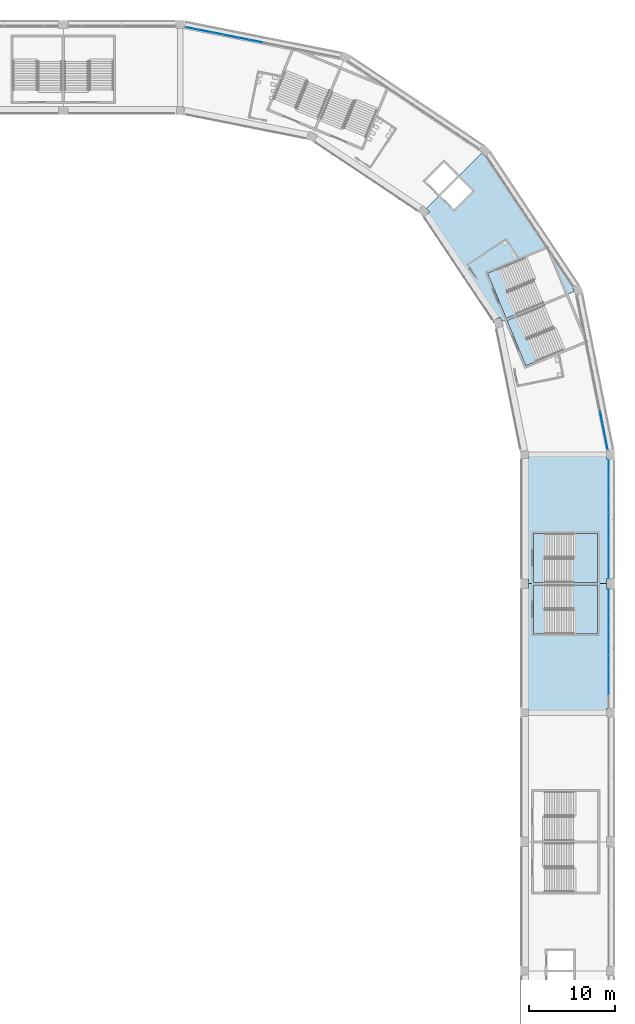
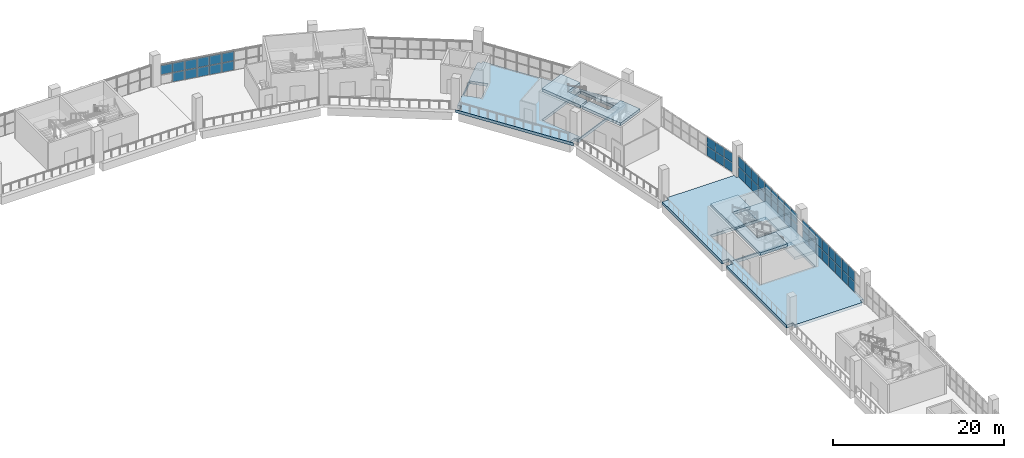
# One storey, part 57 of 177: 51 plates, 9 slabs, 8 elements without a shape of their own.
"""IFC4 building model written with IfcOpenShell, lengths in metres."""

from ifc_helpers import new_model, si_unit, direction, frame, origin, origin_2d, place, context, subcontext, project, spatial, polyline, rectangle, outline, extrude, material, layer, layer_set, type_object, element, aggregate, save


model = new_model("IFC4")

# Units and contexts
model_context = context("Model", 3, precision=1e-05, world=origin(), true_north=direction((0.0, 1.0)))
body_context = subcontext(model_context, "Body", "Model", "MODEL_VIEW")
ifc_project = project(units=[si_unit("LENGTHUNIT", "METRE"), si_unit("AREAUNIT", "SQUARE_METRE"), si_unit("VOLUMEUNIT", "CUBIC_METRE"), si_unit("PLANEANGLEUNIT", "RADIAN"), si_unit("MASSUNIT", "GRAM", prefix="KILO")], contexts=[model_context])

# Site, building, storey
site_placement = place(None, origin())
site = spatial("IfcSite", under=ifc_project, at=site_placement, CompositionType="ELEMENT")
building_placement = place(site_placement, origin())
building = spatial("IfcBuilding", under=site, at=building_placement, Name="Ogive Plaza Stadium", CompositionType="ELEMENT")
storey_placement = place(building_placement, frame((0.0, 0.0, 18.0)))
storey = spatial("IfcBuildingStorey", under=building, at=storey_placement, Name="L04", CompositionType="ELEMENT", Elevation=18.0)

# Curtain wall, plates
ifc_material_1 = material(Name="Bronze-anodised aluminium with laminated glass", Category="aluminium")
curtain_wall_type = type_object("IfcCurtainWallType", Name="Lancet curtain wall", PredefinedType="NOTDEFINED", material=ifc_material_1)
curtain_wall_1_placement = place(storey_placement, origin())
curtain_wall_1 = element("IfcCurtainWall", 1, at=curtain_wall_1_placement, inside=storey, type_object=curtain_wall_type, Name="CURTAIN WALL B01 L04", PredefinedType="NOTDEFINED")
ifc_material_2 = material(Name="Laminated glass", Category="glass")
ifc_layer_1 = layer(ifc_material_2, 0.028076171875)
ifc_layer_set_1 = layer_set([ifc_layer_1], Name="Laminated glass panel 28")
plate_type = type_object("IfcPlateType", Name="Laminated glass panel 28", PredefinedType="CURTAIN_PANEL", material=ifc_layer_set_1)
plate_1_placement = place(storey_placement, frame((83.800048828125, 51.120849609375, 0.0498046875), z_axis=(0.0, 0.0, 1.0), x_axis=(0.0, -1.0, 0.0)))
plate_1 = element("IfcPlate", 2, at=plate_1_placement, type_object=plate_type, Name="CW-B01-L04 panel 1.1", PredefinedType="CURTAIN_PANEL", context=body_context, shape_type="SweptSolid", body=[
    extrude(rectangle(XDim=1.458251953125, YDim=0.028076171875, at=origin_2d()), origin(), (0.0, 0.0, 1.0), 1.469970703125),
])
plate_2_placement = place(storey_placement, frame((83.800048828125, 51.120849609375, 1.56982421875), z_axis=(0.0, 0.0, 1.0), x_axis=(0.0, -1.0, 0.0)))
plate_2 = element("IfcPlate", 3, at=plate_2_placement, type_object=plate_type, Name="CW-B01-L04 panel 1.2", PredefinedType="CURTAIN_PANEL", context=body_context, shape_type="SweptSolid", body=[
    extrude(rectangle(XDim=1.458251953125, YDim=0.028076171875, at=origin_2d()), origin(), (0.0, 0.0, 1.0), 1.469970703125),
])
plate_3_placement = place(storey_placement, frame((83.800048828125, 49.60009765625, 0.0498046875), z_axis=(0.0, 0.0, 1.0), x_axis=(0.0, -1.0, 0.0)))
plate_3 = element("IfcPlate", 4, at=plate_3_placement, type_object=plate_type, Name="CW-B01-L04 panel 2.1", PredefinedType="CURTAIN_PANEL", context=body_context, shape_type="SweptSolid", body=[
    extrude(rectangle(XDim=1.4833984375, YDim=0.028076171875, at=origin_2d()), origin(), (0.0, 0.0, 1.0), 1.469970703125),
])
plate_4_placement = place(storey_placement, frame((83.800048828125, 49.60009765625, 1.56982421875), z_axis=(0.0, 0.0, 1.0), x_axis=(0.0, -1.0, 0.0)))
plate_4 = element("IfcPlate", 5, at=plate_4_placement, type_object=plate_type, Name="CW-B01-L04 panel 2.2", PredefinedType="CURTAIN_PANEL", context=body_context, shape_type="SweptSolid", body=[
    extrude(rectangle(XDim=1.4833984375, YDim=0.028076171875, at=origin_2d()), origin(), (0.0, 0.0, 1.0), 1.469970703125),
])
plate_5_placement = place(storey_placement, frame((83.800048828125, 48.066650390625, 0.0498046875), z_axis=(0.0, 0.0, 1.0), x_axis=(0.0, -1.0, 0.0)))
plate_5 = element("IfcPlate", 6, at=plate_5_placement, type_object=plate_type, Name="CW-B01-L04 panel 3.1", PredefinedType="CURTAIN_PANEL", context=body_context, shape_type="SweptSolid", body=[
    extrude(rectangle(XDim=1.4833984375, YDim=0.028076171875, at=origin_2d()), origin(), (0.0, 0.0, 1.0), 1.469970703125),
])
plate_6_placement = place(storey_placement, frame((83.800048828125, 48.066650390625, 1.56982421875), z_axis=(0.0, 0.0, 1.0), x_axis=(0.0, -1.0, 0.0)))
plate_6 = element("IfcPlate", 7, at=plate_6_placement, type_object=plate_type, Name="CW-B01-L04 panel 3.2", PredefinedType="CURTAIN_PANEL", context=body_context, shape_type="SweptSolid", body=[
    extrude(rectangle(XDim=1.4833984375, YDim=0.028076171875, at=origin_2d()), origin(), (0.0, 0.0, 1.0), 1.469970703125),
])
plate_7_placement = place(storey_placement, frame((83.800048828125, 46.533447265625, 0.0498046875), z_axis=(0.0, 0.0, 1.0), x_axis=(0.0, -1.0, 0.0)))
plate_7 = element("IfcPlate", 8, at=plate_7_placement, type_object=plate_type, Name="CW-B01-L04 panel 4.1", PredefinedType="CURTAIN_PANEL", context=body_context, shape_type="SweptSolid", body=[
    extrude(rectangle(XDim=1.4833984375, YDim=0.028076171875, at=origin_2d()), origin(), (0.0, 0.0, 1.0), 1.469970703125),
])
plate_8_placement = place(storey_placement, frame((83.800048828125, 46.533447265625, 1.56982421875), z_axis=(0.0, 0.0, 1.0), x_axis=(0.0, -1.0, 0.0)))
plate_8 = element("IfcPlate", 9, at=plate_8_placement, type_object=plate_type, Name="CW-B01-L04 panel 4.2", PredefinedType="CURTAIN_PANEL", context=body_context, shape_type="SweptSolid", body=[
    extrude(rectangle(XDim=1.4833984375, YDim=0.028076171875, at=origin_2d()), origin(), (0.0, 0.0, 1.0), 1.469970703125),
])
plate_9_placement = place(storey_placement, frame((83.800048828125, 45.0, 0.0498046875), z_axis=(0.0, 0.0, 1.0), x_axis=(0.0, -1.0, 0.0)))
plate_9 = element("IfcPlate", 10, at=plate_9_placement, type_object=plate_type, Name="CW-B01-L04 panel 5.1", PredefinedType="CURTAIN_PANEL", context=body_context, shape_type="SweptSolid", body=[
    extrude(rectangle(XDim=1.4833984375, YDim=0.028076171875, at=origin_2d()), origin(), (0.0, 0.0, 1.0), 1.469970703125),
])
plate_10_placement = place(storey_placement, frame((83.800048828125, 45.0, 1.56982421875), z_axis=(0.0, 0.0, 1.0), x_axis=(0.0, -1.0, 0.0)))
plate_10 = element("IfcPlate", 11, at=plate_10_placement, type_object=plate_type, Name="CW-B01-L04 panel 5.2", PredefinedType="CURTAIN_PANEL", context=body_context, shape_type="SweptSolid", body=[
    extrude(rectangle(XDim=1.4833984375, YDim=0.028076171875, at=origin_2d()), origin(), (0.0, 0.0, 1.0), 1.469970703125),
])
plate_11_placement = place(storey_placement, frame((83.800048828125, 43.466552734375, 0.0498046875), z_axis=(0.0, 0.0, 1.0), x_axis=(0.0, -1.0, 0.0)))
plate_11 = element("IfcPlate", 12, at=plate_11_placement, type_object=plate_type, Name="CW-B01-L04 panel 6.1", PredefinedType="CURTAIN_PANEL", context=body_context, shape_type="SweptSolid", body=[
    extrude(rectangle(XDim=1.4833984375, YDim=0.028076171875, at=origin_2d()), origin(), (0.0, 0.0, 1.0), 1.469970703125),
])
plate_12_placement = place(storey_placement, frame((83.800048828125, 43.466552734375, 1.56982421875), z_axis=(0.0, 0.0, 1.0), x_axis=(0.0, -1.0, 0.0)))
plate_12 = element("IfcPlate", 13, at=plate_12_placement, type_object=plate_type, Name="CW-B01-L04 panel 6.2", PredefinedType="CURTAIN_PANEL", context=body_context, shape_type="SweptSolid", body=[
    extrude(rectangle(XDim=1.4833984375, YDim=0.028076171875, at=origin_2d()), origin(), (0.0, 0.0, 1.0), 1.469970703125),
])
plate_13_placement = place(storey_placement, frame((83.800048828125, 41.933349609375, 0.0498046875), z_axis=(0.0, 0.0, 1.0), x_axis=(0.0, -1.0, 0.0)))
plate_13 = element("IfcPlate", 14, at=plate_13_placement, type_object=plate_type, Name="CW-B01-L04 panel 7.1", PredefinedType="CURTAIN_PANEL", context=body_context, shape_type="SweptSolid", body=[
    extrude(rectangle(XDim=1.4833984375, YDim=0.028076171875, at=origin_2d()), origin(), (0.0, 0.0, 1.0), 1.469970703125),
])
plate_14_placement = place(storey_placement, frame((83.800048828125, 41.933349609375, 1.56982421875), z_axis=(0.0, 0.0, 1.0), x_axis=(0.0, -1.0, 0.0)))
plate_14 = element("IfcPlate", 15, at=plate_14_placement, type_object=plate_type, Name="CW-B01-L04 panel 7.2", PredefinedType="CURTAIN_PANEL", context=body_context, shape_type="SweptSolid", body=[
    extrude(rectangle(XDim=1.4833984375, YDim=0.028076171875, at=origin_2d()), origin(), (0.0, 0.0, 1.0), 1.469970703125),
])
plate_15_placement = place(storey_placement, frame((83.800048828125, 40.39990234375, 0.0498046875), z_axis=(0.0, 0.0, 1.0), x_axis=(0.0, -1.0, 0.0)))
plate_15 = element("IfcPlate", 16, at=plate_15_placement, type_object=plate_type, Name="CW-B01-L04 panel 8.1", PredefinedType="CURTAIN_PANEL", context=body_context, shape_type="SweptSolid", body=[
    extrude(rectangle(XDim=1.4833984375, YDim=0.028076171875, at=origin_2d()), origin(), (0.0, 0.0, 1.0), 1.469970703125),
])
plate_16_placement = place(storey_placement, frame((83.800048828125, 40.39990234375, 1.56982421875), z_axis=(0.0, 0.0, 1.0), x_axis=(0.0, -1.0, 0.0)))
plate_16 = element("IfcPlate", 17, at=plate_16_placement, type_object=plate_type, Name="CW-B01-L04 panel 8.2", PredefinedType="CURTAIN_PANEL", context=body_context, shape_type="SweptSolid", body=[
    extrude(rectangle(XDim=1.4833984375, YDim=0.028076171875, at=origin_2d()), origin(), (0.0, 0.0, 1.0), 1.469970703125),
])
plate_17_placement = place(storey_placement, frame((83.800048828125, 38.879150390625, 0.0498046875), z_axis=(0.0, 0.0, 1.0), x_axis=(0.0, -1.0, 0.0)))
plate_17 = element("IfcPlate", 18, at=plate_17_placement, type_object=plate_type, Name="CW-B01-L04 panel 9.1", PredefinedType="CURTAIN_PANEL", context=body_context, shape_type="SweptSolid", body=[
    extrude(rectangle(XDim=1.458251953125, YDim=0.028076171875, at=origin_2d()), origin(), (0.0, 0.0, 1.0), 1.469970703125),
])
plate_18_placement = place(storey_placement, frame((83.800048828125, 38.879150390625, 1.56982421875), z_axis=(0.0, 0.0, 1.0), x_axis=(0.0, -1.0, 0.0)))
plate_18 = element("IfcPlate", 19, at=plate_18_placement, type_object=plate_type, Name="CW-B01-L04 panel 9.2", PredefinedType="CURTAIN_PANEL", context=body_context, shape_type="SweptSolid", body=[
    extrude(rectangle(XDim=1.458251953125, YDim=0.028076171875, at=origin_2d()), origin(), (0.0, 0.0, 1.0), 1.469970703125),
])
aggregate(curtain_wall_1, [plate_1, plate_2, plate_3, plate_4, plate_5, plate_6, plate_7, plate_8, plate_9, plate_10, plate_11, plate_12, plate_13, plate_14, plate_15, plate_16, plate_17, plate_18])

curtain_wall_2_placement = place(storey_placement, origin())
curtain_wall_2 = element("IfcCurtainWall", 20, at=curtain_wall_2_placement, inside=storey, type_object=curtain_wall_type, Name="CURTAIN WALL B02 L04", PredefinedType="NOTDEFINED")
plate_19_placement = place(storey_placement, frame((83.800048828125, 36.120849609375, 0.0498046875), z_axis=(0.0, 0.0, 1.0), x_axis=(0.0, -1.0, 0.0)))
plate_19 = element("IfcPlate", 21, at=plate_19_placement, type_object=plate_type, Name="CW-B02-L04 panel 1.1", PredefinedType="CURTAIN_PANEL", context=body_context, shape_type="SweptSolid", body=[
    extrude(rectangle(XDim=1.458251953125, YDim=0.028076171875, at=origin_2d()), origin(), (0.0, 0.0, 1.0), 1.469970703125),
])
plate_20_placement = place(storey_placement, frame((83.800048828125, 36.120849609375, 1.56982421875), z_axis=(0.0, 0.0, 1.0), x_axis=(0.0, -1.0, 0.0)))
plate_20 = element("IfcPlate", 22, at=plate_20_placement, type_object=plate_type, Name="CW-B02-L04 panel 1.2", PredefinedType="CURTAIN_PANEL", context=body_context, shape_type="SweptSolid", body=[
    extrude(rectangle(XDim=1.458251953125, YDim=0.028076171875, at=origin_2d()), origin(), (0.0, 0.0, 1.0), 1.469970703125),
])
plate_21_placement = place(storey_placement, frame((83.800048828125, 34.60009765625, 0.0498046875), z_axis=(0.0, 0.0, 1.0), x_axis=(0.0, -1.0, 0.0)))
plate_21 = element("IfcPlate", 23, at=plate_21_placement, type_object=plate_type, Name="CW-B02-L04 panel 2.1", PredefinedType="CURTAIN_PANEL", context=body_context, shape_type="SweptSolid", body=[
    extrude(rectangle(XDim=1.4833984375, YDim=0.028076171875, at=origin_2d()), origin(), (0.0, 0.0, 1.0), 1.469970703125),
])
plate_22_placement = place(storey_placement, frame((83.800048828125, 34.60009765625, 1.56982421875), z_axis=(0.0, 0.0, 1.0), x_axis=(0.0, -1.0, 0.0)))
plate_22 = element("IfcPlate", 24, at=plate_22_placement, type_object=plate_type, Name="CW-B02-L04 panel 2.2", PredefinedType="CURTAIN_PANEL", context=body_context, shape_type="SweptSolid", body=[
    extrude(rectangle(XDim=1.4833984375, YDim=0.028076171875, at=origin_2d()), origin(), (0.0, 0.0, 1.0), 1.469970703125),
])
plate_23_placement = place(storey_placement, frame((83.800048828125, 33.066650390625, 0.0498046875), z_axis=(0.0, 0.0, 1.0), x_axis=(0.0, -1.0, 0.0)))
plate_23 = element("IfcPlate", 25, at=plate_23_placement, type_object=plate_type, Name="CW-B02-L04 panel 3.1", PredefinedType="CURTAIN_PANEL", context=body_context, shape_type="SweptSolid", body=[
    extrude(rectangle(XDim=1.4833984375, YDim=0.028076171875, at=origin_2d()), origin(), (0.0, 0.0, 1.0), 1.469970703125),
])
plate_24_placement = place(storey_placement, frame((83.800048828125, 33.066650390625, 1.56982421875), z_axis=(0.0, 0.0, 1.0), x_axis=(0.0, -1.0, 0.0)))
plate_24 = element("IfcPlate", 26, at=plate_24_placement, type_object=plate_type, Name="CW-B02-L04 panel 3.2", PredefinedType="CURTAIN_PANEL", context=body_context, shape_type="SweptSolid", body=[
    extrude(rectangle(XDim=1.4833984375, YDim=0.028076171875, at=origin_2d()), origin(), (0.0, 0.0, 1.0), 1.469970703125),
])
plate_25_placement = place(storey_placement, frame((83.800048828125, 31.533447265625, 0.0498046875), z_axis=(0.0, 0.0, 1.0), x_axis=(0.0, -1.0, 0.0)))
plate_25 = element("IfcPlate", 27, at=plate_25_placement, type_object=plate_type, Name="CW-B02-L04 panel 4.1", PredefinedType="CURTAIN_PANEL", context=body_context, shape_type="SweptSolid", body=[
    extrude(rectangle(XDim=1.4833984375, YDim=0.028076171875, at=origin_2d()), origin(), (0.0, 0.0, 1.0), 1.469970703125),
])
plate_26_placement = place(storey_placement, frame((83.800048828125, 31.533447265625, 1.56982421875), z_axis=(0.0, 0.0, 1.0), x_axis=(0.0, -1.0, 0.0)))
plate_26 = element("IfcPlate", 28, at=plate_26_placement, type_object=plate_type, Name="CW-B02-L04 panel 4.2", PredefinedType="CURTAIN_PANEL", context=body_context, shape_type="SweptSolid", body=[
    extrude(rectangle(XDim=1.4833984375, YDim=0.028076171875, at=origin_2d()), origin(), (0.0, 0.0, 1.0), 1.469970703125),
])
plate_27_placement = place(storey_placement, frame((83.800048828125, 30.0, 0.0498046875), z_axis=(0.0, 0.0, 1.0), x_axis=(0.0, -1.0, 0.0)))
plate_27 = element("IfcPlate", 29, at=plate_27_placement, type_object=plate_type, Name="CW-B02-L04 panel 5.1", PredefinedType="CURTAIN_PANEL", context=body_context, shape_type="SweptSolid", body=[
    extrude(rectangle(XDim=1.4833984375, YDim=0.028076171875, at=origin_2d()), origin(), (0.0, 0.0, 1.0), 1.469970703125),
])
plate_28_placement = place(storey_placement, frame((83.800048828125, 30.0, 1.56982421875), z_axis=(0.0, 0.0, 1.0), x_axis=(0.0, -1.0, 0.0)))
plate_28 = element("IfcPlate", 30, at=plate_28_placement, type_object=plate_type, Name="CW-B02-L04 panel 5.2", PredefinedType="CURTAIN_PANEL", context=body_context, shape_type="SweptSolid", body=[
    extrude(rectangle(XDim=1.4833984375, YDim=0.028076171875, at=origin_2d()), origin(), (0.0, 0.0, 1.0), 1.469970703125),
])
plate_29_placement = place(storey_placement, frame((83.800048828125, 28.466552734375, 0.0498046875), z_axis=(0.0, 0.0, 1.0), x_axis=(0.0, -1.0, 0.0)))
plate_29 = element("IfcPlate", 31, at=plate_29_placement, type_object=plate_type, Name="CW-B02-L04 panel 6.1", PredefinedType="CURTAIN_PANEL", context=body_context, shape_type="SweptSolid", body=[
    extrude(rectangle(XDim=1.4833984375, YDim=0.028076171875, at=origin_2d()), origin(), (0.0, 0.0, 1.0), 1.469970703125),
])
plate_30_placement = place(storey_placement, frame((83.800048828125, 28.466552734375, 1.56982421875), z_axis=(0.0, 0.0, 1.0), x_axis=(0.0, -1.0, 0.0)))
plate_30 = element("IfcPlate", 32, at=plate_30_placement, type_object=plate_type, Name="CW-B02-L04 panel 6.2", PredefinedType="CURTAIN_PANEL", context=body_context, shape_type="SweptSolid", body=[
    extrude(rectangle(XDim=1.4833984375, YDim=0.028076171875, at=origin_2d()), origin(), (0.0, 0.0, 1.0), 1.469970703125),
])
plate_31_placement = place(storey_placement, frame((83.800048828125, 26.933349609375, 0.0498046875), z_axis=(0.0, 0.0, 1.0), x_axis=(0.0, -1.0, 0.0)))
plate_31 = element("IfcPlate", 33, at=plate_31_placement, type_object=plate_type, Name="CW-B02-L04 panel 7.1", PredefinedType="CURTAIN_PANEL", context=body_context, shape_type="SweptSolid", body=[
    extrude(rectangle(XDim=1.4833984375, YDim=0.028076171875, at=origin_2d()), origin(), (0.0, 0.0, 1.0), 1.469970703125),
])
plate_32_placement = place(storey_placement, frame((83.800048828125, 26.933349609375, 1.56982421875), z_axis=(0.0, 0.0, 1.0), x_axis=(0.0, -1.0, 0.0)))
plate_32 = element("IfcPlate", 34, at=plate_32_placement, type_object=plate_type, Name="CW-B02-L04 panel 7.2", PredefinedType="CURTAIN_PANEL", context=body_context, shape_type="SweptSolid", body=[
    extrude(rectangle(XDim=1.4833984375, YDim=0.028076171875, at=origin_2d()), origin(), (0.0, 0.0, 1.0), 1.469970703125),
])
plate_33_placement = place(storey_placement, frame((83.800048828125, 25.39990234375, 0.0498046875), z_axis=(0.0, 0.0, 1.0), x_axis=(0.0, -1.0, 0.0)))
plate_33 = element("IfcPlate", 35, at=plate_33_placement, type_object=plate_type, Name="CW-B02-L04 panel 8.1", PredefinedType="CURTAIN_PANEL", context=body_context, shape_type="SweptSolid", body=[
    extrude(rectangle(XDim=1.4833984375, YDim=0.028076171875, at=origin_2d()), origin(), (0.0, 0.0, 1.0), 1.469970703125),
])
plate_34_placement = place(storey_placement, frame((83.800048828125, 25.39990234375, 1.56982421875), z_axis=(0.0, 0.0, 1.0), x_axis=(0.0, -1.0, 0.0)))
plate_34 = element("IfcPlate", 36, at=plate_34_placement, type_object=plate_type, Name="CW-B02-L04 panel 8.2", PredefinedType="CURTAIN_PANEL", context=body_context, shape_type="SweptSolid", body=[
    extrude(rectangle(XDim=1.4833984375, YDim=0.028076171875, at=origin_2d()), origin(), (0.0, 0.0, 1.0), 1.469970703125),
])
aggregate(curtain_wall_2, [plate_19, plate_20, plate_21, plate_22, plate_23, plate_24, plate_25, plate_26, plate_27, plate_28, plate_29, plate_30, plate_31, plate_32, plate_33, plate_34])

curtain_wall_3_placement = place(storey_placement, origin())
curtain_wall_3 = element("IfcCurtainWall", 37, at=curtain_wall_3_placement, inside=storey, type_object=curtain_wall_type, Name="CURTAIN WALL B37 L04", PredefinedType="NOTDEFINED")
plate_35_placement = place(storey_placement, frame((35.328369140625, 102.031982421875, 1.419921875), z_axis=(0.0, 0.0, 1.0), x_axis=(0.9807852804, -0.195090322033, 0.0)))
plate_35 = element("IfcPlate", 38, at=plate_35_placement, type_object=plate_type, Name="CW-B37-L04 panel 1.2", PredefinedType="CURTAIN_PANEL", context=body_context, shape_type="SweptSolid", body=[
    extrude(rectangle(XDim=1.447265625, YDim=0.028076171875, at=origin_2d()), origin(), (0.0, 0.0, 1.0), 1.320068359375),
])
plate_36_placement = place(storey_placement, frame((36.80908203125, 101.7373046875, 0.0498046875), z_axis=(0.0, 0.0, 1.0), x_axis=(0.9807852804, -0.195090322033, 0.0)))
plate_36 = element("IfcPlate", 39, at=plate_36_placement, type_object=plate_type, Name="CW-B37-L04 panel 2.1", PredefinedType="CURTAIN_PANEL", context=body_context, shape_type="SweptSolid", body=[
    extrude(rectangle(XDim=1.472412109375, YDim=0.028076171875, at=origin_2d()), origin(), (0.0, 0.0, 1.0), 1.320068359375),
])
plate_37_placement = place(storey_placement, frame((36.80908203125, 101.7373046875, 1.419921875), z_axis=(0.0, 0.0, 1.0), x_axis=(0.9807852804, -0.195090322033, 0.0)))
plate_37 = element("IfcPlate", 40, at=plate_37_placement, type_object=plate_type, Name="CW-B37-L04 panel 2.2", PredefinedType="CURTAIN_PANEL", context=body_context, shape_type="SweptSolid", body=[
    extrude(rectangle(XDim=1.472412109375, YDim=0.028076171875, at=origin_2d()), origin(), (0.0, 0.0, 1.0), 1.320068359375),
])
plate_38_placement = place(storey_placement, frame((38.30224609375, 101.4404296875, 0.0498046875), z_axis=(0.0, 0.0, 1.0), x_axis=(0.9807852804, -0.195090322033, 0.0)))
plate_38 = element("IfcPlate", 41, at=plate_38_placement, type_object=plate_type, Name="CW-B37-L04 panel 3.1", PredefinedType="CURTAIN_PANEL", context=body_context, shape_type="SweptSolid", body=[
    extrude(rectangle(XDim=1.472412109375, YDim=0.028076171875, at=origin_2d()), origin(), (0.0, 0.0, 1.0), 1.320068359375),
])
plate_39_placement = place(storey_placement, frame((38.30224609375, 101.4404296875, 1.419921875), z_axis=(0.0, 0.0, 1.0), x_axis=(0.9807852804, -0.195090322033, 0.0)))
plate_39 = element("IfcPlate", 42, at=plate_39_placement, type_object=plate_type, Name="CW-B37-L04 panel 3.2", PredefinedType="CURTAIN_PANEL", context=body_context, shape_type="SweptSolid", body=[
    extrude(rectangle(XDim=1.472412109375, YDim=0.028076171875, at=origin_2d()), origin(), (0.0, 0.0, 1.0), 1.320068359375),
])
plate_40_placement = place(storey_placement, frame((39.79541015625, 101.143310546875, 0.0498046875), z_axis=(0.0, 0.0, 1.0), x_axis=(0.9807852804, -0.195090322033, 0.0)))
plate_40 = element("IfcPlate", 43, at=plate_40_placement, type_object=plate_type, Name="CW-B37-L04 panel 4.1", PredefinedType="CURTAIN_PANEL", context=body_context, shape_type="SweptSolid", body=[
    extrude(rectangle(XDim=1.472412109375, YDim=0.028076171875, at=origin_2d()), origin(), (0.0, 0.0, 1.0), 1.320068359375),
])
plate_41_placement = place(storey_placement, frame((39.79541015625, 101.143310546875, 1.419921875), z_axis=(0.0, 0.0, 1.0), x_axis=(0.9807852804, -0.195090322033, 0.0)))
plate_41 = element("IfcPlate", 44, at=plate_41_placement, type_object=plate_type, Name="CW-B37-L04 panel 4.2", PredefinedType="CURTAIN_PANEL", context=body_context, shape_type="SweptSolid", body=[
    extrude(rectangle(XDim=1.472412109375, YDim=0.028076171875, at=origin_2d()), origin(), (0.0, 0.0, 1.0), 1.320068359375),
])
plate_42_placement = place(storey_placement, frame((41.288330078125, 100.846435546875, 0.0498046875), z_axis=(0.0, 0.0, 1.0), x_axis=(0.9807852804, -0.195090322033, 0.0)))
plate_42 = element("IfcPlate", 45, at=plate_42_placement, type_object=plate_type, Name="CW-B37-L04 panel 5.1", PredefinedType="CURTAIN_PANEL", context=body_context, shape_type="SweptSolid", body=[
    extrude(rectangle(XDim=1.472412109375, YDim=0.028076171875, at=origin_2d()), origin(), (0.0, 0.0, 1.0), 1.320068359375),
])
plate_43_placement = place(storey_placement, frame((41.288330078125, 100.846435546875, 1.419921875), z_axis=(0.0, 0.0, 1.0), x_axis=(0.9807852804, -0.195090322033, 0.0)))
plate_43 = element("IfcPlate", 46, at=plate_43_placement, type_object=plate_type, Name="CW-B37-L04 panel 5.2", PredefinedType="CURTAIN_PANEL", context=body_context, shape_type="SweptSolid", body=[
    extrude(rectangle(XDim=1.472412109375, YDim=0.028076171875, at=origin_2d()), origin(), (0.0, 0.0, 1.0), 1.320068359375),
])
plate_44_placement = place(storey_placement, frame((42.781494140625, 100.54931640625, 0.0498046875), z_axis=(0.0, 0.0, 1.0), x_axis=(0.9807852804, -0.195090322033, 0.0)))
plate_44 = element("IfcPlate", 47, at=plate_44_placement, type_object=plate_type, Name="CW-B37-L04 panel 6.1", PredefinedType="CURTAIN_PANEL", context=body_context, shape_type="SweptSolid", body=[
    extrude(rectangle(XDim=1.472412109375, YDim=0.028076171875, at=origin_2d()), origin(), (0.0, 0.0, 1.0), 1.320068359375),
])
plate_45_placement = place(storey_placement, frame((42.781494140625, 100.54931640625, 1.419921875), z_axis=(0.0, 0.0, 1.0), x_axis=(0.9807852804, -0.195090322033, 0.0)))
plate_45 = element("IfcPlate", 48, at=plate_45_placement, type_object=plate_type, Name="CW-B37-L04 panel 6.2", PredefinedType="CURTAIN_PANEL", context=body_context, shape_type="SweptSolid", body=[
    extrude(rectangle(XDim=1.472412109375, YDim=0.028076171875, at=origin_2d()), origin(), (0.0, 0.0, 1.0), 1.320068359375),
])
aggregate(curtain_wall_3, [plate_35, plate_36, plate_37, plate_38, plate_39, plate_40, plate_41, plate_42, plate_43, plate_44, plate_45])

curtain_wall_4_placement = place(storey_placement, origin())
curtain_wall_4 = element("IfcCurtainWall", 49, at=curtain_wall_4_placement, inside=storey, type_object=curtain_wall_type, Name="CURTAIN WALL B40 L04", PredefinedType="NOTDEFINED")
plate_46_placement = place(storey_placement, frame((82.9404296875, 56.80224609375, 0.0498046875), z_axis=(0.0, 0.0, 1.0), x_axis=(0.195090322033, -0.9807852804, 0.0)))
plate_46 = element("IfcPlate", 50, at=plate_46_placement, type_object=plate_type, Name="CW-B40-L04 panel 10.1", PredefinedType="CURTAIN_PANEL", context=body_context, shape_type="SweptSolid", body=[
    extrude(rectangle(XDim=1.472412109375, YDim=0.028076171875, at=origin_2d()), origin(), (0.0, 0.0, 1.0), 1.320068359375),
])
plate_47_placement = place(storey_placement, frame((82.9404296875, 56.80224609375, 1.419921875), z_axis=(0.0, 0.0, 1.0), x_axis=(0.195090322033, -0.9807852804, 0.0)))
plate_47 = element("IfcPlate", 51, at=plate_47_placement, type_object=plate_type, Name="CW-B40-L04 panel 10.2", PredefinedType="CURTAIN_PANEL", context=body_context, shape_type="SweptSolid", body=[
    extrude(rectangle(XDim=1.472412109375, YDim=0.028076171875, at=origin_2d()), origin(), (0.0, 0.0, 1.0), 1.320068359375),
])
plate_48_placement = place(storey_placement, frame((83.2373046875, 55.30908203125, 0.0498046875), z_axis=(0.0, 0.0, 1.0), x_axis=(0.195090322033, -0.9807852804, 0.0)))
plate_48 = element("IfcPlate", 52, at=plate_48_placement, type_object=plate_type, Name="CW-B40-L04 panel 11.1", PredefinedType="CURTAIN_PANEL", context=body_context, shape_type="SweptSolid", body=[
    extrude(rectangle(XDim=1.472412109375, YDim=0.028076171875, at=origin_2d()), origin(), (0.0, 0.0, 1.0), 1.320068359375),
])
plate_49_placement = place(storey_placement, frame((83.2373046875, 55.30908203125, 1.419921875), z_axis=(0.0, 0.0, 1.0), x_axis=(0.195090322033, -0.9807852804, 0.0)))
plate_49 = element("IfcPlate", 53, at=plate_49_placement, type_object=plate_type, Name="CW-B40-L04 panel 11.2", PredefinedType="CURTAIN_PANEL", context=body_context, shape_type="SweptSolid", body=[
    extrude(rectangle(XDim=1.472412109375, YDim=0.028076171875, at=origin_2d()), origin(), (0.0, 0.0, 1.0), 1.320068359375),
])
plate_50_placement = place(storey_placement, frame((83.531982421875, 53.828369140625, 0.0498046875), z_axis=(0.0, 0.0, 1.0), x_axis=(0.195090322033, -0.9807852804, 0.0)))
plate_50 = element("IfcPlate", 54, at=plate_50_placement, type_object=plate_type, Name="CW-B40-L04 panel 12.1", PredefinedType="CURTAIN_PANEL", context=body_context, shape_type="SweptSolid", body=[
    extrude(rectangle(XDim=1.447265625, YDim=0.028076171875, at=origin_2d()), origin(), (0.0, 0.0, 1.0), 1.320068359375),
])
plate_51_placement = place(storey_placement, frame((83.531982421875, 53.828369140625, 1.419921875), z_axis=(0.0, 0.0, 1.0), x_axis=(0.195090322033, -0.9807852804, 0.0)))
plate_51 = element("IfcPlate", 55, at=plate_51_placement, type_object=plate_type, Name="CW-B40-L04 panel 12.2", PredefinedType="CURTAIN_PANEL", context=body_context, shape_type="SweptSolid", body=[
    extrude(rectangle(XDim=1.447265625, YDim=0.028076171875, at=origin_2d()), origin(), (0.0, 0.0, 1.0), 1.320068359375),
])
aggregate(curtain_wall_4, [plate_46, plate_47, plate_48, plate_49, plate_50, plate_51])

# Slabs
ifc_material_3 = material(Name="Concrete C40/50", Category="concrete")
ifc_layer_2 = layer(ifc_material_3, 0.409912109375)
ifc_layer_set_2 = layer_set([ifc_layer_2], Name="Concrete C40/50")
slab_type_1 = type_object("IfcSlabType", Name="RC floor slab 410", PredefinedType="FLOOR", material=ifc_layer_set_2)
slab_1_placement = place(storey_placement, frame((0.0, 0.0, -0.409912109375)))
element("IfcSlab", 56, at=slab_1_placement, inside=storey, type_object=slab_type_1, Name="Floor slab L04 B01", PredefinedType="FLOOR", context=body_context, shape_type="SweptSolid", body=[
    extrude(outline(polyline([(83.550048828125, 37.5), (83.550048828125, 38.10009765625), (84.0, 38.10009765625), (84.0, 52.0), (83.550048828125, 52.0), (83.550048828125, 52.5), (74.449951171875, 52.5), (74.449951171875, 52.050048828125), (73.550048828125, 52.050048828125), (73.550048828125, 38.050048828125), (74.449951171875, 38.050048828125), (74.449951171875, 37.5), (83.550048828125, 37.5)]), holes=[polyline([(75.050048828125, 43.324951171875), (75.050048828125, 37.625), (82.510009765625, 37.625), (82.510009765625, 43.324951171875), (75.050048828125, 43.324951171875)])]), origin(), (0.0, 0.0, 1.0), 0.409912109375),
])
slab_2_placement = place(storey_placement, frame((0.0, 0.0, -0.409912109375)))
element("IfcSlab", 57, at=slab_2_placement, inside=storey, type_object=slab_type_1, Name="Floor slab L04 B02", PredefinedType="FLOOR", context=body_context, shape_type="SweptSolid", body=[
    extrude(outline(polyline([(83.550048828125, 22.5), (83.550048828125, 23.0), (84.0, 23.0), (84.0, 36.89990234375), (83.550048828125, 36.89990234375), (83.550048828125, 37.5), (74.449951171875, 37.5), (74.449951171875, 36.949951171875), (73.550048828125, 36.949951171875), (73.550048828125, 22.949951171875), (74.449951171875, 22.949951171875), (74.449951171875, 22.5), (83.550048828125, 22.5)]), holes=[polyline([(75.050048828125, 37.375), (75.050048828125, 31.675048828125), (82.510009765625, 31.675048828125), (82.510009765625, 37.375), (75.050048828125, 37.375)])]), origin(), (0.0, 0.0, 1.0), 0.409912109375),
])
slab_3_placement = place(storey_placement, frame((0.0, 0.0, -0.409912109375)))
element("IfcSlab", 58, at=slab_3_placement, inside=storey, type_object=slab_type_1, Name="Floor slab L04 B39", PredefinedType="FLOOR", context=body_context, shape_type="SweptSolid", body=[
    extrude(outline(polyline([(79.7783203125, 71.4619140625), (79.56787109375, 71.97021484375), (79.88232421875, 72.100341796875), (69.6669921875, 87.38916015625), (69.426025390625, 87.148193359375), (69.037109375, 87.537109375), (62.6025390625, 81.1025390625), (62.9560546875, 80.7490234375), (62.319580078125, 80.112548828125), (61.966064453125, 80.466064453125), (61.966064453125, 80.466064453125), (70.53955078125, 67.635009765625), (70.34814453125, 68.09716796875), (71.1796875, 68.44140625), (71.370849609375, 67.9794921875), (79.7783203125, 71.4619140625)]), holes=[polyline([(69.696044921875, 73.5908203125), (71.87744140625, 68.32470703125), (78.76953125, 71.179443359375), (76.58837890625, 76.445556640625), (69.696044921875, 73.5908203125)]), polyline([(64.24658203125, 82.56982421875), (65.80224609375, 81.01416015625), (67.92333984375, 83.135498046875), (66.367919921875, 84.69091796875), (64.24658203125, 82.56982421875)])]), origin(), (0.0, 0.0, 1.0), 0.409912109375),
])

# Stair, slabs
ifc_material_4 = material(Name="Concrete C40/50", Category="concrete")
stair_type = type_object("IfcStairType", Name="Exit stair", PredefinedType="STRAIGHT_RUN_STAIR", material=ifc_material_4)
stair_1_placement = place(storey_placement, origin())
stair_1 = element("IfcStair", 59, at=stair_1_placement, inside=storey, type_object=stair_type, Name="Exit stair ST02A L04 to L05", PredefinedType="STRAIGHT_RUN_STAIR")
ifc_material_5 = material(Name="Concrete C40/50", Category="concrete")
ifc_layer_3 = layer(ifc_material_5, 0.39990234375)
ifc_layer_set_3 = layer_set([ifc_layer_3], Name="Concrete C40/50")
slab_type_2 = type_object("IfcSlabType", Name="Stair landing", PredefinedType="LANDING", material=ifc_layer_set_3)
slab_4_placement = place(storey_placement, frame((0.0, 0.0, 1.85009765625)))
slab_4 = element("IfcSlab", 60, at=slab_4_placement, type_object=slab_type_2, Name="ST02A landing 1", PredefinedType="LANDING", context=body_context, shape_type="SweptSolid", body=[
    extrude(outline(polyline([(82.510009765625, 37.375), (82.510009765625, 31.675048828125), (79.7099609375, 31.675048828125), (79.7099609375, 34.574951171875), (77.31005859375, 34.574951171875), (77.31005859375, 37.375), (79.7099609375, 37.375), (82.510009765625, 37.375)])), origin(), (0.0, 0.0, 1.0), 0.39990234375),
])
slab_5_placement = place(storey_placement, frame((0.0, 0.0, 4.10009765625)))
slab_5 = element("IfcSlab", 61, at=slab_5_placement, type_object=slab_type_2, Name="ST02A landing 2", PredefinedType="LANDING", context=body_context, shape_type="SweptSolid", body=[
    extrude(outline(polyline([(78.75, 34.47509765625), (78.75, 31.675048828125), (76.35009765625, 31.675048828125), (75.050048828125, 31.675048828125), (75.050048828125, 37.375), (76.35009765625, 37.375), (76.35009765625, 34.47509765625), (78.75, 34.47509765625)])), origin(), (0.0, 0.0, 1.0), 0.39990234375),
])
aggregate(stair_1, [slab_4, slab_5])

stair_2_placement = place(storey_placement, origin())
stair_2 = element("IfcStair", 62, at=stair_2_placement, inside=storey, type_object=stair_type, Name="Exit stair ST02B L04 to L05", PredefinedType="STRAIGHT_RUN_STAIR")
slab_6_placement = place(storey_placement, frame((0.0, 0.0, 1.85009765625)))
slab_6 = element("IfcSlab", 63, at=slab_6_placement, type_object=slab_type_2, Name="ST02B landing 1", PredefinedType="LANDING", context=body_context, shape_type="SweptSolid", body=[
    extrude(outline(polyline([(77.31005859375, 37.625), (77.31005859375, 40.425048828125), (79.7099609375, 40.425048828125), (79.7099609375, 43.324951171875), (82.510009765625, 43.324951171875), (82.510009765625, 37.625), (79.7099609375, 37.625), (77.31005859375, 37.625)])), origin(), (0.0, 0.0, 1.0), 0.39990234375),
])
slab_7_placement = place(storey_placement, frame((0.0, 0.0, 4.10009765625)))
slab_7 = element("IfcSlab", 64, at=slab_7_placement, type_object=slab_type_2, Name="ST02B landing 2", PredefinedType="LANDING", context=body_context, shape_type="SweptSolid", body=[
    extrude(outline(polyline([(76.35009765625, 37.625), (75.050048828125, 37.625), (75.050048828125, 43.324951171875), (76.35009765625, 43.324951171875), (78.75, 43.324951171875), (78.75, 40.52490234375), (76.35009765625, 40.52490234375), (76.35009765625, 37.625)])), origin(), (0.0, 0.0, 1.0), 0.39990234375),
])
aggregate(stair_2, [slab_6, slab_7])

# Stair, slab
stair_3_placement = place(storey_placement, origin())
stair_3 = element("IfcStair", 65, at=stair_3_placement, inside=storey, type_object=stair_type, Name="Exit stair ST40A L04 to L05", PredefinedType="STRAIGHT_RUN_STAIR")
slab_8_placement = place(storey_placement, frame((0.0, 0.0, 4.10009765625)))
slab_8 = element("IfcSlab", 66, at=slab_8_placement, type_object=slab_type_2, Name="ST40A landing 2", PredefinedType="LANDING", context=body_context, shape_type="SweptSolid", body=[
    extrude(outline(polyline([(76.501220703125, 66.830322265625), (77.57275390625, 64.243408203125), (75.35546875, 63.324951171875), (74.154296875, 62.82763671875), (71.97314453125, 68.09375), (73.174072265625, 68.591064453125), (74.283935546875, 65.911865234375), (76.501220703125, 66.830322265625)])), origin(), (0.0, 0.0, 1.0), 0.39990234375),
])
aggregate(stair_3, [slab_8])

stair_4_placement = place(storey_placement, origin())
stair_4 = element("IfcStair", 67, at=stair_4_placement, inside=storey, type_object=stair_type, Name="Exit stair ST40B L04 to L05", PredefinedType="STRAIGHT_RUN_STAIR")
slab_9_placement = place(storey_placement, frame((0.0, 0.0, 4.10009765625)))
slab_9 = element("IfcSlab", 68, at=slab_9_placement, type_object=slab_type_2, Name="ST40B landing 2", PredefinedType="LANDING", context=body_context, shape_type="SweptSolid", body=[
    extrude(outline(polyline([(73.078369140625, 68.822021484375), (71.87744140625, 68.32470703125), (69.696044921875, 73.5908203125), (70.897216796875, 74.088134765625), (73.114501953125, 75.006591796875), (74.18603515625, 72.419921875), (71.96875, 71.50146484375), (73.078369140625, 68.822021484375)])), origin(), (0.0, 0.0, 1.0), 0.39990234375),
])
aggregate(stair_4, [slab_9])

save(model, "model.ifc")
